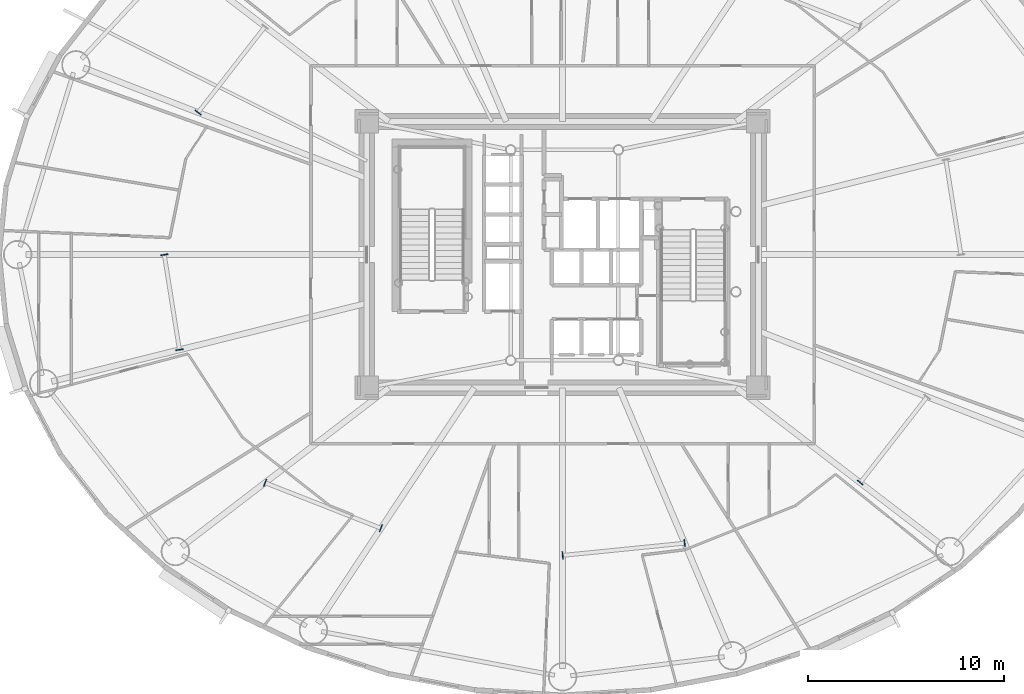
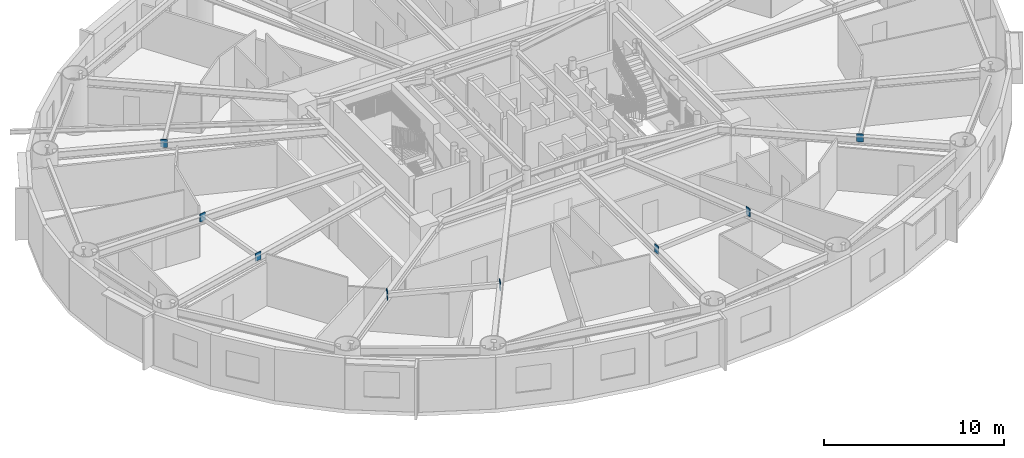
# One storey, part 8 of 21: 8 plates.
"""IFC4 building model written with IfcOpenShell, lengths in metres."""

from ifc_helpers import new_model, si_unit, direction, frame, origin, origin_2d, place, context, subcontext, project, spatial, rectangle, extrude, source, transform, mapped, material, layer, layer_set, type_object, element, save


model = new_model("IFC4")

# Units and contexts
model_context = context("Model", 3, precision=1e-05, world=origin(), true_north=direction((0.0, 1.0)))
body_context = subcontext(model_context, "Body", "Model", "MODEL_VIEW")
ifc_project = project(units=[si_unit("LENGTHUNIT", "METRE"), si_unit("AREAUNIT", "SQUARE_METRE"), si_unit("VOLUMEUNIT", "CUBIC_METRE"), si_unit("PLANEANGLEUNIT", "RADIAN"), si_unit("MASSUNIT", "GRAM", prefix="KILO")], contexts=[model_context])

# Site, building, storey
site_placement = place(None, origin())
site = spatial("IfcSite", under=ifc_project, at=site_placement, CompositionType="ELEMENT")
building_placement = place(site_placement, origin())
building = spatial("IfcBuilding", under=site, at=building_placement, Name="Linh Dai School and Residence Tower", CompositionType="ELEMENT")
storey_placement = place(building_placement, frame((0.0, 0.0, 115.949951171875)))
storey = spatial("IfcBuildingStorey", under=building, at=storey_placement, Name="L27", CompositionType="ELEMENT", Elevation=115.949951171875)

# Plates
ifc_material = material(Name="Structural Steel S355JR", Category="steel")
ifc_layer = layer(ifc_material, 0.0400390625)
ifc_layer_set = layer_set([ifc_layer], Name="Structural Steel S355JR")
plate_type = type_object("IfcPlateType", Name="PLT-GP1", PredefinedType="USERDEFINED", material=ifc_layer_set)
shared_shape = source(origin(), body_context, "Body", "SweptSolid", [
    extrude(rectangle(XDim=0.0400390625, YDim=0.3798828125, at=origin_2d()), origin(), (0.0, 0.0, 1.0), 0.5400390625),
])
for number, where, z_axis, x_axis, name in (
    (1, (17.390625, 34.260009765625, 3.080078125), (0.0, 0.0, 1.0), (-0.614362913717, -0.789023580287, 0.0), "L27 Secondary Beam End Plate 04B"),
    (2, (15.662353515625, 26.9951171875, 3.080078125), (0.0, 0.0, 1.0), (0.157025103807, -0.987594611556, 0.0), "L27 Secondary Beam End Plate 05A"),
    (3, (16.43359375, 22.14453125, 3.080078125), (0.0, 0.0, 1.0), (0.157025103807, -0.987594611556, 0.0), "L27 Secondary Beam End Plate 05B"),
    (4, (20.810546875, 15.35205078125, 3.080078125), (0.0, 0.0, 1.0), (0.930752465806, -0.3656498973, 0.0), "L27 Secondary Beam End Plate 06A"),
    (5, (26.720703125, 13.030029296875, 3.080078125), (0.0, 0.0, 1.0), (0.930752465806, -0.3656498973, 0.0), "L27 Secondary Beam End Plate 06B"),
    (6, (36.0048828125, 11.642578125, 3.080078125), (0.0, 0.0, 1.0), (0.995041739642, 0.09945821419, 0.0), "L27 Secondary Beam End Plate 07A"),
    (7, (42.2294921875, 12.2646484375, 3.080078125), (0.0, 0.0, 1.0), (0.995041739642, 0.09945821419, 0.0), "L27 Secondary Beam End Plate 07B"),
    (8, (51.197265625, 15.35791015625, 3.080078125), (0.0, 0.0, 1.0), (0.614362913717, 0.789023580287, 0.0), "L27 Secondary Beam End Plate 08A"),
):
    element("IfcPlate", number, at=place(storey_placement, frame(where, z_axis=z_axis, x_axis=x_axis)), inside=storey, type_object=plate_type, Name=name, ObjectType="GUSSET PLATE", PredefinedType="USERDEFINED", context=body_context, shape_type="MappedRepresentation", body=[
        mapped(shared_shape, transform((0.0, 0.0, 0.0), x_axis=(1.0, 0.0, 0.0), y_axis=(0.0, 1.0, 0.0), z_axis=(0.0, 0.0, 1.0), scale=1.0)),
    ])

save(model, "model.ifc")
